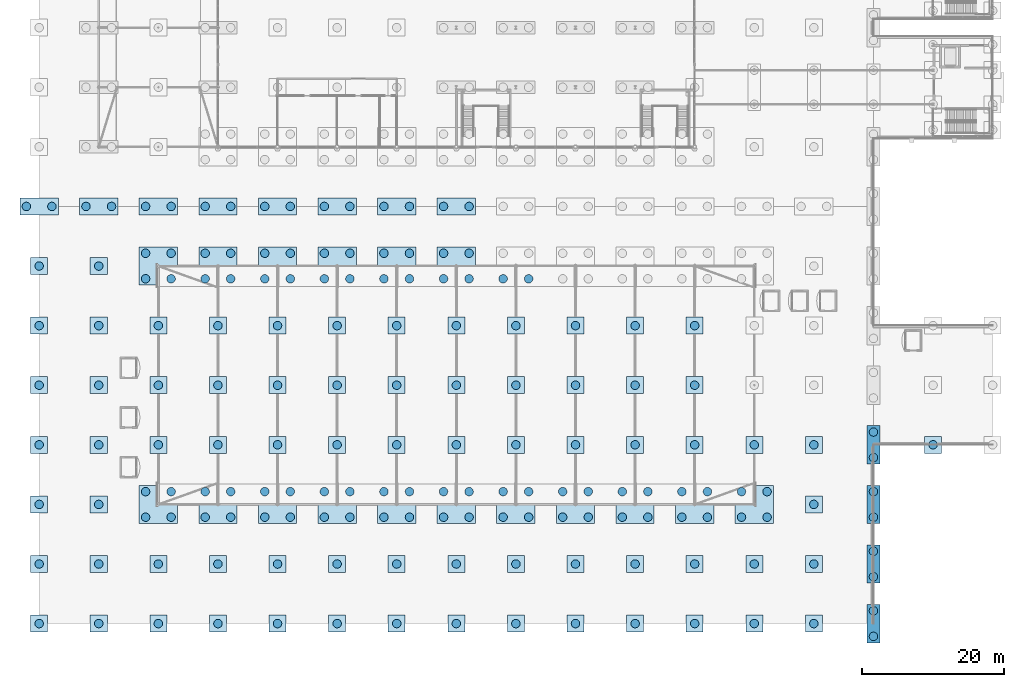
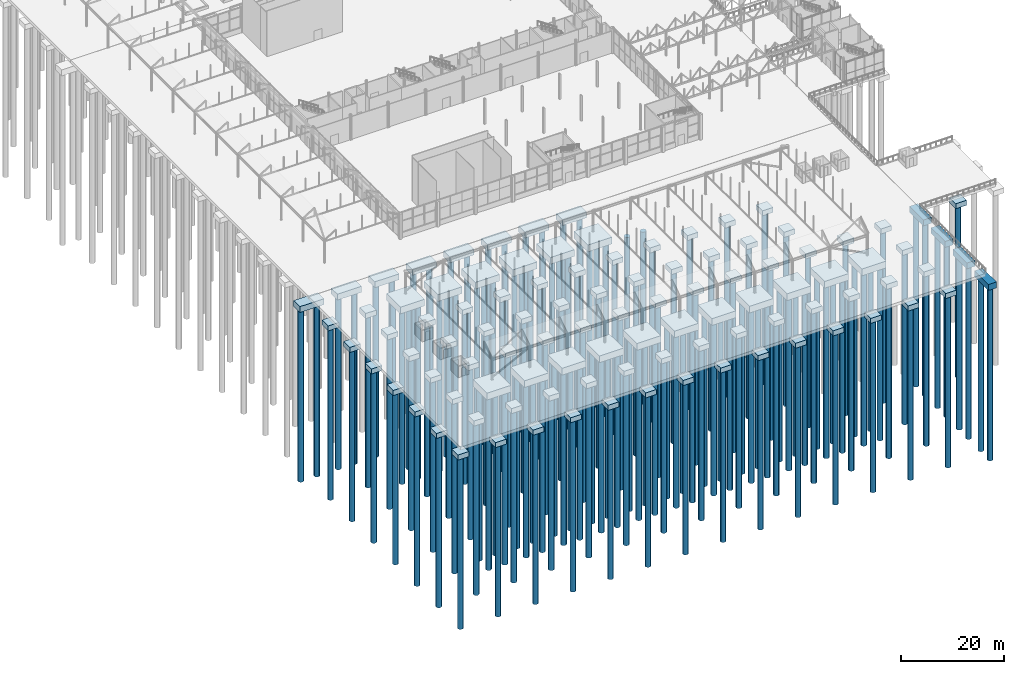
# One storey, part 1 of 212: 166 piles, 101 footings.
"""IFC4 building model written with IfcOpenShell, lengths in metres."""

from ifc_helpers import new_model, si_unit, direction, frame, origin, origin_2d, place, context, subcontext, project, spatial, rectangle, circle, extrude, material, material_profile, profile_set, type_object, element, save


model = new_model("IFC4")

# Units and contexts
model_context = context("Model", 3, precision=1e-05, world=origin(), true_north=direction((0.0, 1.0)))
body_context = subcontext(model_context, "Body", "Model", "MODEL_VIEW")
ifc_project = project(units=[si_unit("LENGTHUNIT", "METRE"), si_unit("AREAUNIT", "SQUARE_METRE"), si_unit("VOLUMEUNIT", "CUBIC_METRE"), si_unit("PLANEANGLEUNIT", "RADIAN"), si_unit("MASSUNIT", "GRAM", prefix="KILO")], contexts=[model_context])

# Site, building, storey
site_placement = place(None, origin())
site = spatial("IfcSite", under=ifc_project, at=site_placement, CompositionType="ELEMENT")
building_placement = place(site_placement, origin())
building = spatial("IfcBuilding", under=site, at=building_placement, Name="Catenary Quay Ferry Terminal", CompositionType="ELEMENT")
storey_placement = place(building_placement, origin())
storey = spatial("IfcBuildingStorey", under=building, at=storey_placement, Name="L00", CompositionType="ELEMENT", Elevation=0.0)

# Piles
ifc_material_1 = material(Name="Concrete C35/45", Category="concrete")
ifc_material_profile = material_profile(ifc_material_1, circle(Radius=0.60009765625, at=origin_2d()), Name="D1200")
ifc_profile_set = profile_set([ifc_material_profile], Name="Concrete C35/45")
pile_type = type_object("IfcPileType", Name="Bored pile D1200", PredefinedType="BORED", material=ifc_profile_set)
for number, where, z_axis, x_axis, name in (
    (1, (0.0, 0.0, -1.89990234375), (0.0, 0.0, -1.0), (1.0, 0.0, 0.0), "Pile PC1-A1/1"),
    (2, (8.39990234375, 0.0, -1.89990234375), (0.0, 0.0, -1.0), (1.0, 0.0, 0.0), "Pile PC1-B1/1"),
    (3, (16.800048828125, 0.0, -1.89990234375), (0.0, 0.0, -1.0), (1.0, 0.0, 0.0), "Pile PC1-C1/1"),
    (4, (25.199951171875, 0.0, -1.89990234375), (0.0, 0.0, -1.0), (1.0, 0.0, 0.0), "Pile PC1-D1/1"),
    (5, (33.60009765625, 0.0, -1.89990234375), (0.0, 0.0, -1.0), (1.0, 0.0, 0.0), "Pile PC1-E1/1"),
    (6, (42.0, 0.0, -1.89990234375), (0.0, 0.0, -1.0), (1.0, 0.0, 0.0), "Pile PC1-F1/1"),
    (7, (50.39990234375, 0.0, -1.89990234375), (0.0, 0.0, -1.0), (1.0, 0.0, 0.0), "Pile PC1-G1/1"),
    (8, (58.800048828125, 0.0, -1.89990234375), (0.0, 0.0, -1.0), (1.0, 0.0, 0.0), "Pile PC1-H1/1"),
    (9, (67.199951171875, 0.0, -1.89990234375), (0.0, 0.0, -1.0), (1.0, 0.0, 0.0), "Pile PC1-I1/1"),
    (10, (75.60009765625, 0.0, -1.89990234375), (0.0, 0.0, -1.0), (1.0, 0.0, 0.0), "Pile PC1-J1/1"),
    (11, (84.0, 0.0, -1.89990234375), (0.0, 0.0, -1.0), (1.0, 0.0, 0.0), "Pile PC1-K1/1"),
    (12, (92.39990234375, 0.0, -1.89990234375), (0.0, 0.0, -1.0), (1.0, 0.0, 0.0), "Pile PC1-L1/1"),
    (13, (100.800048828125, 0.0, -1.89990234375), (0.0, 0.0, -1.0), (1.0, 0.0, 0.0), "Pile PC1-M1/1"),
    (14, (109.199951171875, 0.0, -1.89990234375), (0.0, 0.0, -1.0), (1.0, 0.0, 0.0), "Pile PC1-N1/1"),
    (15, (117.60009765625, -1.800048828125, -2.10009765625), (0.0, 0.0, -1.0), (1.0, 0.0, 0.0), "Pile PC2-O1/1"),
    (16, (117.60009765625, 1.800048828125, -2.10009765625), (0.0, 0.0, -1.0), (1.0, 0.0, 0.0), "Pile PC2-O1/2"),
    (17, (0.0, 8.39990234375, -1.89990234375), (0.0, 0.0, -1.0), (1.0, 0.0, 0.0), "Pile PC1-A2/1"),
    (18, (8.39990234375, 8.39990234375, -1.89990234375), (0.0, 0.0, -1.0), (1.0, 0.0, 0.0), "Pile PC1-B2/1"),
    (19, (16.800048828125, 8.39990234375, -1.89990234375), (0.0, 0.0, -1.0), (1.0, 0.0, 0.0), "Pile PC1-C2/1"),
    (20, (25.199951171875, 8.39990234375, -1.89990234375), (0.0, 0.0, -1.0), (1.0, 0.0, 0.0), "Pile PC1-D2/1"),
    (21, (33.60009765625, 8.39990234375, -1.89990234375), (0.0, 0.0, -1.0), (1.0, 0.0, 0.0), "Pile PC1-E2/1"),
    (22, (42.0, 8.39990234375, -1.89990234375), (0.0, 0.0, -1.0), (1.0, 0.0, 0.0), "Pile PC1-F2/1"),
    (23, (50.39990234375, 8.39990234375, -1.89990234375), (0.0, 0.0, -1.0), (1.0, 0.0, 0.0), "Pile PC1-G2/1"),
    (24, (58.800048828125, 8.39990234375, -1.89990234375), (0.0, 0.0, -1.0), (1.0, 0.0, 0.0), "Pile PC1-H2/1"),
    (25, (67.199951171875, 8.39990234375, -1.89990234375), (0.0, 0.0, -1.0), (1.0, 0.0, 0.0), "Pile PC1-I2/1"),
    (26, (75.60009765625, 8.39990234375, -1.89990234375), (0.0, 0.0, -1.0), (1.0, 0.0, 0.0), "Pile PC1-J2/1"),
    (27, (84.0, 8.39990234375, -1.89990234375), (0.0, 0.0, -1.0), (1.0, 0.0, 0.0), "Pile PC1-K2/1"),
    (28, (92.39990234375, 8.39990234375, -1.89990234375), (0.0, 0.0, -1.0), (1.0, 0.0, 0.0), "Pile PC1-L2/1"),
    (29, (100.800048828125, 8.39990234375, -1.89990234375), (0.0, 0.0, -1.0), (1.0, 0.0, 0.0), "Pile PC1-M2/1"),
    (30, (109.199951171875, 8.39990234375, -1.89990234375), (0.0, 0.0, -1.0), (1.0, 0.0, 0.0), "Pile PC1-N2/1"),
    (31, (117.60009765625, 6.60009765625, -2.10009765625), (0.0, 0.0, -1.0), (1.0, 0.0, 0.0), "Pile PC2-O2/1"),
    (32, (117.60009765625, 10.199951171875, -2.10009765625), (0.0, 0.0, -1.0), (1.0, 0.0, 0.0), "Pile PC2-O2/2"),
    (33, (0.0, 16.800048828125, -1.89990234375), (0.0, 0.0, -1.0), (1.0, 0.0, 0.0), "Pile PC1-A3/1"),
    (34, (8.39990234375, 16.800048828125, -1.89990234375), (0.0, 0.0, -1.0), (1.0, 0.0, 0.0), "Pile PC1-B3/1"),
    (35, (15.0, 15.0, -2.300048828125), (0.0, 0.0, -1.0), (1.0, 0.0, 0.0), "Pile PC4-C3/1"),
    (36, (18.60009765625, 15.0, -2.300048828125), (0.0, 0.0, -1.0), (1.0, 0.0, 0.0), "Pile PC4-C3/2"),
    (37, (15.0, 18.60009765625, -2.300048828125), (0.0, 0.0, -1.0), (1.0, 0.0, 0.0), "Pile PC4-C3/3"),
    (38, (18.60009765625, 18.60009765625, -2.300048828125), (0.0, 0.0, -1.0), (1.0, 0.0, 0.0), "Pile PC4-C3/4"),
    (39, (23.39990234375, 15.0, -2.300048828125), (0.0, 0.0, -1.0), (1.0, 0.0, 0.0), "Pile PC4-D3/1"),
    (40, (27.0, 15.0, -2.300048828125), (0.0, 0.0, -1.0), (1.0, 0.0, 0.0), "Pile PC4-D3/2"),
    (41, (23.39990234375, 18.60009765625, -2.300048828125), (0.0, 0.0, -1.0), (1.0, 0.0, 0.0), "Pile PC4-D3/3"),
    (42, (27.0, 18.60009765625, -2.300048828125), (0.0, 0.0, -1.0), (1.0, 0.0, 0.0), "Pile PC4-D3/4"),
    (43, (31.800048828125, 15.0, -2.300048828125), (0.0, 0.0, -1.0), (1.0, 0.0, 0.0), "Pile PC4-E3/1"),
    (44, (35.39990234375, 15.0, -2.300048828125), (0.0, 0.0, -1.0), (1.0, 0.0, 0.0), "Pile PC4-E3/2"),
    (45, (31.800048828125, 18.60009765625, -2.300048828125), (0.0, 0.0, -1.0), (1.0, 0.0, 0.0), "Pile PC4-E3/3"),
    (46, (35.39990234375, 18.60009765625, -2.300048828125), (0.0, 0.0, -1.0), (1.0, 0.0, 0.0), "Pile PC4-E3/4"),
    (47, (40.199951171875, 15.0, -2.300048828125), (0.0, 0.0, -1.0), (1.0, 0.0, 0.0), "Pile PC4-F3/1"),
    (48, (43.800048828125, 15.0, -2.300048828125), (0.0, 0.0, -1.0), (1.0, 0.0, 0.0), "Pile PC4-F3/2"),
    (49, (40.199951171875, 18.60009765625, -2.300048828125), (0.0, 0.0, -1.0), (1.0, 0.0, 0.0), "Pile PC4-F3/3"),
    (50, (43.800048828125, 18.60009765625, -2.300048828125), (0.0, 0.0, -1.0), (1.0, 0.0, 0.0), "Pile PC4-F3/4"),
    (51, (48.60009765625, 15.0, -2.300048828125), (0.0, 0.0, -1.0), (1.0, 0.0, 0.0), "Pile PC4-G3/1"),
    (52, (52.199951171875, 15.0, -2.300048828125), (0.0, 0.0, -1.0), (1.0, 0.0, 0.0), "Pile PC4-G3/2"),
    (53, (48.60009765625, 18.60009765625, -2.300048828125), (0.0, 0.0, -1.0), (1.0, 0.0, 0.0), "Pile PC4-G3/3"),
    (54, (52.199951171875, 18.60009765625, -2.300048828125), (0.0, 0.0, -1.0), (1.0, 0.0, 0.0), "Pile PC4-G3/4"),
    (55, (57.0, 15.0, -2.300048828125), (0.0, 0.0, -1.0), (1.0, 0.0, 0.0), "Pile PC4-H3/1"),
    (56, (60.60009765625, 15.0, -2.300048828125), (0.0, 0.0, -1.0), (1.0, 0.0, 0.0), "Pile PC4-H3/2"),
    (57, (57.0, 18.60009765625, -2.300048828125), (0.0, 0.0, -1.0), (1.0, 0.0, 0.0), "Pile PC4-H3/3"),
    (58, (60.60009765625, 18.60009765625, -2.300048828125), (0.0, 0.0, -1.0), (1.0, 0.0, 0.0), "Pile PC4-H3/4"),
    (59, (65.39990234375, 15.0, -2.300048828125), (0.0, 0.0, -1.0), (1.0, 0.0, 0.0), "Pile PC4-I3/1"),
    (60, (69.0, 15.0, -2.300048828125), (0.0, 0.0, -1.0), (1.0, 0.0, 0.0), "Pile PC4-I3/2"),
    (61, (65.39990234375, 18.60009765625, -2.300048828125), (0.0, 0.0, -1.0), (1.0, 0.0, 0.0), "Pile PC4-I3/3"),
    (62, (69.0, 18.60009765625, -2.300048828125), (0.0, 0.0, -1.0), (1.0, 0.0, 0.0), "Pile PC4-I3/4"),
    (63, (73.800048828125, 15.0, -2.300048828125), (0.0, 0.0, -1.0), (1.0, 0.0, 0.0), "Pile PC4-J3/1"),
    (64, (77.39990234375, 15.0, -2.300048828125), (0.0, 0.0, -1.0), (1.0, 0.0, 0.0), "Pile PC4-J3/2"),
    (65, (73.800048828125, 18.60009765625, -2.300048828125), (0.0, 0.0, -1.0), (1.0, 0.0, 0.0), "Pile PC4-J3/3"),
    (66, (77.39990234375, 18.60009765625, -2.300048828125), (0.0, 0.0, -1.0), (1.0, 0.0, 0.0), "Pile PC4-J3/4"),
    (67, (82.199951171875, 15.0, -2.300048828125), (0.0, 0.0, -1.0), (1.0, 0.0, 0.0), "Pile PC4-K3/1"),
    (68, (85.800048828125, 15.0, -2.300048828125), (0.0, 0.0, -1.0), (1.0, 0.0, 0.0), "Pile PC4-K3/2"),
    (69, (82.199951171875, 18.60009765625, -2.300048828125), (0.0, 0.0, -1.0), (1.0, 0.0, 0.0), "Pile PC4-K3/3"),
    (70, (85.800048828125, 18.60009765625, -2.300048828125), (0.0, 0.0, -1.0), (1.0, 0.0, 0.0), "Pile PC4-K3/4"),
    (71, (90.60009765625, 15.0, -2.300048828125), (0.0, 0.0, -1.0), (1.0, 0.0, 0.0), "Pile PC4-L3/1"),
    (72, (94.199951171875, 15.0, -2.300048828125), (0.0, 0.0, -1.0), (1.0, 0.0, 0.0), "Pile PC4-L3/2"),
    (73, (90.60009765625, 18.60009765625, -2.300048828125), (0.0, 0.0, -1.0), (1.0, 0.0, 0.0), "Pile PC4-L3/3"),
    (74, (94.199951171875, 18.60009765625, -2.300048828125), (0.0, 0.0, -1.0), (1.0, 0.0, 0.0), "Pile PC4-L3/4"),
    (75, (99.0, 15.0, -2.300048828125), (0.0, 0.0, -1.0), (1.0, 0.0, 0.0), "Pile PC4-M3/1"),
    (76, (102.60009765625, 15.0, -2.300048828125), (0.0, 0.0, -1.0), (1.0, 0.0, 0.0), "Pile PC4-M3/2"),
    (77, (99.0, 18.60009765625, -2.300048828125), (0.0, 0.0, -1.0), (1.0, 0.0, 0.0), "Pile PC4-M3/3"),
    (78, (102.60009765625, 18.60009765625, -2.300048828125), (0.0, 0.0, -1.0), (1.0, 0.0, 0.0), "Pile PC4-M3/4"),
    (79, (109.199951171875, 16.800048828125, -1.89990234375), (0.0, 0.0, -1.0), (1.0, 0.0, 0.0), "Pile PC1-N3/1"),
    (80, (117.60009765625, 15.0, -2.10009765625), (0.0, 0.0, -1.0), (1.0, 0.0, 0.0), "Pile PC2-O3/1"),
    (81, (117.60009765625, 18.60009765625, -2.10009765625), (0.0, 0.0, -1.0), (1.0, 0.0, 0.0), "Pile PC2-O3/2"),
    (82, (0.0, 25.199951171875, -1.89990234375), (0.0, 0.0, -1.0), (1.0, 0.0, 0.0), "Pile PC1-A4/1"),
    (83, (8.39990234375, 25.199951171875, -1.89990234375), (0.0, 0.0, -1.0), (1.0, 0.0, 0.0), "Pile PC1-B4/1"),
    (84, (16.800048828125, 25.199951171875, -1.89990234375), (0.0, 0.0, -1.0), (1.0, 0.0, 0.0), "Pile PC1-C4/1"),
    (85, (25.199951171875, 25.199951171875, -1.89990234375), (0.0, 0.0, -1.0), (1.0, 0.0, 0.0), "Pile PC1-D4/1"),
    (86, (33.60009765625, 25.199951171875, -1.89990234375), (0.0, 0.0, -1.0), (1.0, 0.0, 0.0), "Pile PC1-E4/1"),
    (87, (42.0, 25.199951171875, -1.89990234375), (0.0, 0.0, -1.0), (1.0, 0.0, 0.0), "Pile PC1-F4/1"),
    (88, (50.39990234375, 25.199951171875, -1.89990234375), (0.0, 0.0, -1.0), (1.0, 0.0, 0.0), "Pile PC1-G4/1"),
    (89, (58.800048828125, 25.199951171875, -1.89990234375), (0.0, 0.0, -1.0), (1.0, 0.0, 0.0), "Pile PC1-H4/1"),
    (90, (67.199951171875, 25.199951171875, -1.89990234375), (0.0, 0.0, -1.0), (1.0, 0.0, 0.0), "Pile PC1-I4/1"),
    (91, (75.60009765625, 25.199951171875, -1.89990234375), (0.0, 0.0, -1.0), (1.0, 0.0, 0.0), "Pile PC1-J4/1"),
    (92, (84.0, 25.199951171875, -1.89990234375), (0.0, 0.0, -1.0), (1.0, 0.0, 0.0), "Pile PC1-K4/1"),
    (93, (92.39990234375, 25.199951171875, -1.89990234375), (0.0, 0.0, -1.0), (1.0, 0.0, 0.0), "Pile PC1-L4/1"),
    (94, (100.800048828125, 25.199951171875, -1.89990234375), (0.0, 0.0, -1.0), (1.0, 0.0, 0.0), "Pile PC1-M4/1"),
    (95, (109.199951171875, 25.199951171875, -1.89990234375), (0.0, 0.0, -1.0), (1.0, 0.0, 0.0), "Pile PC1-N4/1"),
    (96, (117.60009765625, 23.39990234375, -2.10009765625), (0.0, 0.0, -1.0), (1.0, 0.0, 0.0), "Pile PC2-O4/1"),
    (97, (117.60009765625, 27.0, -2.10009765625), (0.0, 0.0, -1.0), (1.0, 0.0, 0.0), "Pile PC2-O4/2"),
    (98, (0.0, 33.60009765625, -1.89990234375), (0.0, 0.0, -1.0), (1.0, 0.0, 0.0), "Pile PC1-A5/1"),
    (99, (8.39990234375, 33.60009765625, -1.89990234375), (0.0, 0.0, -1.0), (1.0, 0.0, 0.0), "Pile PC1-B5/1"),
    (100, (16.800048828125, 33.60009765625, -1.89990234375), (0.0, 0.0, -1.0), (1.0, 0.0, 0.0), "Pile PC1-C5/1"),
    (101, (25.199951171875, 33.60009765625, -1.89990234375), (0.0, 0.0, -1.0), (1.0, 0.0, 0.0), "Pile PC1-D5/1"),
    (102, (33.60009765625, 33.60009765625, -1.89990234375), (0.0, 0.0, -1.0), (1.0, 0.0, 0.0), "Pile PC1-E5/1"),
    (103, (42.0, 33.60009765625, -1.89990234375), (0.0, 0.0, -1.0), (1.0, 0.0, 0.0), "Pile PC1-F5/1"),
    (104, (50.39990234375, 33.60009765625, -1.89990234375), (0.0, 0.0, -1.0), (1.0, 0.0, 0.0), "Pile PC1-G5/1"),
    (105, (58.800048828125, 33.60009765625, -1.89990234375), (0.0, 0.0, -1.0), (1.0, 0.0, 0.0), "Pile PC1-H5/1"),
    (106, (67.199951171875, 33.60009765625, -1.89990234375), (0.0, 0.0, -1.0), (1.0, 0.0, 0.0), "Pile PC1-I5/1"),
    (107, (75.60009765625, 33.60009765625, -1.89990234375), (0.0, 0.0, -1.0), (1.0, 0.0, 0.0), "Pile PC1-J5/1"),
    (108, (84.0, 33.60009765625, -1.89990234375), (0.0, 0.0, -1.0), (1.0, 0.0, 0.0), "Pile PC1-K5/1"),
    (109, (92.39990234375, 33.60009765625, -1.89990234375), (0.0, 0.0, -1.0), (1.0, 0.0, 0.0), "Pile PC1-L5/1"),
    (110, (0.0, 42.0, -1.89990234375), (0.0, 0.0, -1.0), (1.0, 0.0, 0.0), "Pile PC1-A6/1"),
    (111, (8.39990234375, 42.0, -1.89990234375), (0.0, 0.0, -1.0), (1.0, 0.0, 0.0), "Pile PC1-B6/1"),
    (112, (16.800048828125, 42.0, -1.89990234375), (0.0, 0.0, -1.0), (1.0, 0.0, 0.0), "Pile PC1-C6/1"),
    (113, (25.199951171875, 42.0, -1.89990234375), (0.0, 0.0, -1.0), (1.0, 0.0, 0.0), "Pile PC1-D6/1"),
    (114, (33.60009765625, 42.0, -1.89990234375), (0.0, 0.0, -1.0), (1.0, 0.0, 0.0), "Pile PC1-E6/1"),
    (115, (42.0, 42.0, -1.89990234375), (0.0, 0.0, -1.0), (1.0, 0.0, 0.0), "Pile PC1-F6/1"),
    (116, (50.39990234375, 42.0, -1.89990234375), (0.0, 0.0, -1.0), (1.0, 0.0, 0.0), "Pile PC1-G6/1"),
    (117, (58.800048828125, 42.0, -1.89990234375), (0.0, 0.0, -1.0), (1.0, 0.0, 0.0), "Pile PC1-H6/1"),
    (118, (67.199951171875, 42.0, -1.89990234375), (0.0, 0.0, -1.0), (1.0, 0.0, 0.0), "Pile PC1-I6/1"),
    (119, (75.60009765625, 42.0, -1.89990234375), (0.0, 0.0, -1.0), (1.0, 0.0, 0.0), "Pile PC1-J6/1"),
    (120, (84.0, 42.0, -1.89990234375), (0.0, 0.0, -1.0), (1.0, 0.0, 0.0), "Pile PC1-K6/1"),
    (121, (92.39990234375, 42.0, -1.89990234375), (0.0, 0.0, -1.0), (1.0, 0.0, 0.0), "Pile PC1-L6/1"),
    (122, (0.0, 50.39990234375, -1.89990234375), (0.0, 0.0, -1.0), (1.0, 0.0, 0.0), "Pile PC1-A7/1"),
    (123, (8.39990234375, 50.39990234375, -1.89990234375), (0.0, 0.0, -1.0), (1.0, 0.0, 0.0), "Pile PC1-B7/1"),
    (124, (15.0, 48.60009765625, -2.300048828125), (0.0, 0.0, -1.0), (1.0, 0.0, 0.0), "Pile PC4-C7/1"),
    (125, (18.60009765625, 48.60009765625, -2.300048828125), (0.0, 0.0, -1.0), (1.0, 0.0, 0.0), "Pile PC4-C7/2"),
    (126, (15.0, 52.199951171875, -2.300048828125), (0.0, 0.0, -1.0), (1.0, 0.0, 0.0), "Pile PC4-C7/3"),
    (127, (18.60009765625, 52.199951171875, -2.300048828125), (0.0, 0.0, -1.0), (1.0, 0.0, 0.0), "Pile PC4-C7/4"),
    (128, (23.39990234375, 48.60009765625, -2.300048828125), (0.0, 0.0, -1.0), (1.0, 0.0, 0.0), "Pile PC4-D7/1"),
    (129, (27.0, 48.60009765625, -2.300048828125), (0.0, 0.0, -1.0), (1.0, 0.0, 0.0), "Pile PC4-D7/2"),
    (130, (23.39990234375, 52.199951171875, -2.300048828125), (0.0, 0.0, -1.0), (1.0, 0.0, 0.0), "Pile PC4-D7/3"),
    (131, (27.0, 52.199951171875, -2.300048828125), (0.0, 0.0, -1.0), (1.0, 0.0, 0.0), "Pile PC4-D7/4"),
    (132, (31.800048828125, 48.60009765625, -2.300048828125), (0.0, 0.0, -1.0), (1.0, 0.0, 0.0), "Pile PC4-E7/1"),
    (133, (35.39990234375, 48.60009765625, -2.300048828125), (0.0, 0.0, -1.0), (1.0, 0.0, 0.0), "Pile PC4-E7/2"),
    (134, (31.800048828125, 52.199951171875, -2.300048828125), (0.0, 0.0, -1.0), (1.0, 0.0, 0.0), "Pile PC4-E7/3"),
    (135, (35.39990234375, 52.199951171875, -2.300048828125), (0.0, 0.0, -1.0), (1.0, 0.0, 0.0), "Pile PC4-E7/4"),
    (136, (40.199951171875, 48.60009765625, -2.300048828125), (0.0, 0.0, -1.0), (1.0, 0.0, 0.0), "Pile PC4-F7/1"),
    (137, (43.800048828125, 48.60009765625, -2.300048828125), (0.0, 0.0, -1.0), (1.0, 0.0, 0.0), "Pile PC4-F7/2"),
    (138, (40.199951171875, 52.199951171875, -2.300048828125), (0.0, 0.0, -1.0), (1.0, 0.0, 0.0), "Pile PC4-F7/3"),
    (139, (43.800048828125, 52.199951171875, -2.300048828125), (0.0, 0.0, -1.0), (1.0, 0.0, 0.0), "Pile PC4-F7/4"),
    (140, (48.60009765625, 48.60009765625, -2.300048828125), (0.0, 0.0, -1.0), (1.0, 0.0, 0.0), "Pile PC4-G7/1"),
    (141, (52.199951171875, 48.60009765625, -2.300048828125), (0.0, 0.0, -1.0), (1.0, 0.0, 0.0), "Pile PC4-G7/2"),
    (142, (48.60009765625, 52.199951171875, -2.300048828125), (0.0, 0.0, -1.0), (1.0, 0.0, 0.0), "Pile PC4-G7/3"),
    (143, (52.199951171875, 52.199951171875, -2.300048828125), (0.0, 0.0, -1.0), (1.0, 0.0, 0.0), "Pile PC4-G7/4"),
    (144, (57.0, 48.60009765625, -2.300048828125), (0.0, 0.0, -1.0), (1.0, 0.0, 0.0), "Pile PC4-H7/1"),
    (145, (60.60009765625, 48.60009765625, -2.300048828125), (0.0, 0.0, -1.0), (1.0, 0.0, 0.0), "Pile PC4-H7/2"),
    (146, (57.0, 52.199951171875, -2.300048828125), (0.0, 0.0, -1.0), (1.0, 0.0, 0.0), "Pile PC4-H7/3"),
    (147, (60.60009765625, 52.199951171875, -2.300048828125), (0.0, 0.0, -1.0), (1.0, 0.0, 0.0), "Pile PC4-H7/4"),
    (148, (65.39990234375, 48.60009765625, -2.300048828125), (0.0, 0.0, -1.0), (1.0, 0.0, 0.0), "Pile PC4-I7/1"),
    (149, (69.0, 48.60009765625, -2.300048828125), (0.0, 0.0, -1.0), (1.0, 0.0, 0.0), "Pile PC4-I7/2"),
    (150, (-1.800048828125, 58.800048828125, -2.10009765625), (0.0, 0.0, -1.0), (1.0, 0.0, 0.0), "Pile PC2J-A8/1"),
    (151, (1.800048828125, 58.800048828125, -2.10009765625), (0.0, 0.0, -1.0), (1.0, 0.0, 0.0), "Pile PC2J-A8/2"),
    (152, (6.60009765625, 58.800048828125, -2.10009765625), (0.0, 0.0, -1.0), (1.0, 0.0, 0.0), "Pile PC2J-B8/1"),
    (153, (10.199951171875, 58.800048828125, -2.10009765625), (0.0, 0.0, -1.0), (1.0, 0.0, 0.0), "Pile PC2J-B8/2"),
    (154, (15.0, 58.800048828125, -2.10009765625), (0.0, 0.0, -1.0), (1.0, 0.0, 0.0), "Pile PC2J-C8/1"),
    (155, (18.60009765625, 58.800048828125, -2.10009765625), (0.0, 0.0, -1.0), (1.0, 0.0, 0.0), "Pile PC2J-C8/2"),
    (156, (23.39990234375, 58.800048828125, -2.10009765625), (0.0, 0.0, -1.0), (1.0, 0.0, 0.0), "Pile PC2J-D8/1"),
    (157, (27.0, 58.800048828125, -2.10009765625), (0.0, 0.0, -1.0), (1.0, 0.0, 0.0), "Pile PC2J-D8/2"),
    (158, (31.800048828125, 58.800048828125, -2.10009765625), (0.0, 0.0, -1.0), (1.0, 0.0, 0.0), "Pile PC2J-E8/1"),
    (159, (35.39990234375, 58.800048828125, -2.10009765625), (0.0, 0.0, -1.0), (1.0, 0.0, 0.0), "Pile PC2J-E8/2"),
    (160, (40.199951171875, 58.800048828125, -2.10009765625), (0.0, 0.0, -1.0), (1.0, 0.0, 0.0), "Pile PC2J-F8/1"),
    (161, (43.800048828125, 58.800048828125, -2.10009765625), (0.0, 0.0, -1.0), (1.0, 0.0, 0.0), "Pile PC2J-F8/2"),
    (162, (48.60009765625, 58.800048828125, -2.10009765625), (0.0, 0.0, -1.0), (1.0, 0.0, 0.0), "Pile PC2J-G8/1"),
    (163, (52.199951171875, 58.800048828125, -2.10009765625), (0.0, 0.0, -1.0), (1.0, 0.0, 0.0), "Pile PC2J-G8/2"),
    (164, (57.0, 58.800048828125, -2.10009765625), (0.0, 0.0, -1.0), (1.0, 0.0, 0.0), "Pile PC2J-H8/1"),
    (165, (60.60009765625, 58.800048828125, -2.10009765625), (0.0, 0.0, -1.0), (1.0, 0.0, 0.0), "Pile PC2J-H8/2"),
    (166, (126.0, 25.199951171875, -1.800048828125), (0.0, 0.0, -1.0), (1.0, 0.0, 0.0), "Pile PC1-BVP4/1"),
):
    element("IfcPile", number, at=place(storey_placement, frame(where, z_axis=z_axis, x_axis=x_axis)), inside=storey, type_object=pile_type, Name=name, PredefinedType="BORED", context=body_context, shape_type="SweptSolid", body=[
        extrude(circle(Radius=0.60009765625, at=origin_2d()), origin(), (0.0, 0.0, 1.0), 40.800048828125),
    ])

# Footings
ifc_material_2 = material(Name="Concrete C35/45", Category="concrete")
footing_type_1 = type_object("IfcFootingType", Name="Pile cap PC1", PredefinedType="PILE_CAP", material=ifc_material_2)
for number, where, z_axis, x_axis, name in (
    (167, (0.0, 0.0, -1.89990234375), (0.0, 0.0, 1.0), (1.0, 0.0, 0.0), "Pile cap PC1-A1"),
    (168, (8.39990234375, 0.0, -1.89990234375), (0.0, 0.0, 1.0), (1.0, 0.0, 0.0), "Pile cap PC1-B1"),
    (169, (16.800048828125, 0.0, -1.89990234375), (0.0, 0.0, 1.0), (1.0, 0.0, 0.0), "Pile cap PC1-C1"),
    (170, (25.199951171875, 0.0, -1.89990234375), (0.0, 0.0, 1.0), (1.0, 0.0, 0.0), "Pile cap PC1-D1"),
    (171, (33.60009765625, 0.0, -1.89990234375), (0.0, 0.0, 1.0), (1.0, 0.0, 0.0), "Pile cap PC1-E1"),
    (172, (42.0, 0.0, -1.89990234375), (0.0, 0.0, 1.0), (1.0, 0.0, 0.0), "Pile cap PC1-F1"),
    (173, (50.39990234375, 0.0, -1.89990234375), (0.0, 0.0, 1.0), (1.0, 0.0, 0.0), "Pile cap PC1-G1"),
    (174, (58.800048828125, 0.0, -1.89990234375), (0.0, 0.0, 1.0), (1.0, 0.0, 0.0), "Pile cap PC1-H1"),
    (175, (67.199951171875, 0.0, -1.89990234375), (0.0, 0.0, 1.0), (1.0, 0.0, 0.0), "Pile cap PC1-I1"),
    (176, (75.60009765625, 0.0, -1.89990234375), (0.0, 0.0, 1.0), (1.0, 0.0, 0.0), "Pile cap PC1-J1"),
    (177, (84.0, 0.0, -1.89990234375), (0.0, 0.0, 1.0), (1.0, 0.0, 0.0), "Pile cap PC1-K1"),
    (178, (92.39990234375, 0.0, -1.89990234375), (0.0, 0.0, 1.0), (1.0, 0.0, 0.0), "Pile cap PC1-L1"),
    (179, (100.800048828125, 0.0, -1.89990234375), (0.0, 0.0, 1.0), (1.0, 0.0, 0.0), "Pile cap PC1-M1"),
    (180, (109.199951171875, 0.0, -1.89990234375), (0.0, 0.0, 1.0), (1.0, 0.0, 0.0), "Pile cap PC1-N1"),
    (181, (0.0, 8.39990234375, -1.89990234375), (0.0, 0.0, 1.0), (1.0, 0.0, 0.0), "Pile cap PC1-A2"),
    (182, (8.39990234375, 8.39990234375, -1.89990234375), (0.0, 0.0, 1.0), (1.0, 0.0, 0.0), "Pile cap PC1-B2"),
    (183, (16.800048828125, 8.39990234375, -1.89990234375), (0.0, 0.0, 1.0), (1.0, 0.0, 0.0), "Pile cap PC1-C2"),
    (184, (25.199951171875, 8.39990234375, -1.89990234375), (0.0, 0.0, 1.0), (1.0, 0.0, 0.0), "Pile cap PC1-D2"),
    (185, (33.60009765625, 8.39990234375, -1.89990234375), (0.0, 0.0, 1.0), (1.0, 0.0, 0.0), "Pile cap PC1-E2"),
    (186, (42.0, 8.39990234375, -1.89990234375), (0.0, 0.0, 1.0), (1.0, 0.0, 0.0), "Pile cap PC1-F2"),
    (187, (50.39990234375, 8.39990234375, -1.89990234375), (0.0, 0.0, 1.0), (1.0, 0.0, 0.0), "Pile cap PC1-G2"),
    (188, (58.800048828125, 8.39990234375, -1.89990234375), (0.0, 0.0, 1.0), (1.0, 0.0, 0.0), "Pile cap PC1-H2"),
    (189, (67.199951171875, 8.39990234375, -1.89990234375), (0.0, 0.0, 1.0), (1.0, 0.0, 0.0), "Pile cap PC1-I2"),
    (190, (75.60009765625, 8.39990234375, -1.89990234375), (0.0, 0.0, 1.0), (1.0, 0.0, 0.0), "Pile cap PC1-J2"),
    (191, (84.0, 8.39990234375, -1.89990234375), (0.0, 0.0, 1.0), (1.0, 0.0, 0.0), "Pile cap PC1-K2"),
    (192, (92.39990234375, 8.39990234375, -1.89990234375), (0.0, 0.0, 1.0), (1.0, 0.0, 0.0), "Pile cap PC1-L2"),
    (193, (100.800048828125, 8.39990234375, -1.89990234375), (0.0, 0.0, 1.0), (1.0, 0.0, 0.0), "Pile cap PC1-M2"),
    (194, (109.199951171875, 8.39990234375, -1.89990234375), (0.0, 0.0, 1.0), (1.0, 0.0, 0.0), "Pile cap PC1-N2"),
    (195, (0.0, 16.800048828125, -1.89990234375), (0.0, 0.0, 1.0), (1.0, 0.0, 0.0), "Pile cap PC1-A3"),
    (196, (8.39990234375, 16.800048828125, -1.89990234375), (0.0, 0.0, 1.0), (1.0, 0.0, 0.0), "Pile cap PC1-B3"),
    (197, (109.199951171875, 16.800048828125, -1.89990234375), (0.0, 0.0, 1.0), (1.0, 0.0, 0.0), "Pile cap PC1-N3"),
    (198, (0.0, 25.199951171875, -1.89990234375), (0.0, 0.0, 1.0), (1.0, 0.0, 0.0), "Pile cap PC1-A4"),
    (199, (8.39990234375, 25.199951171875, -1.89990234375), (0.0, 0.0, 1.0), (1.0, 0.0, 0.0), "Pile cap PC1-B4"),
    (200, (16.800048828125, 25.199951171875, -1.89990234375), (0.0, 0.0, 1.0), (1.0, 0.0, 0.0), "Pile cap PC1-C4"),
    (201, (25.199951171875, 25.199951171875, -1.89990234375), (0.0, 0.0, 1.0), (1.0, 0.0, 0.0), "Pile cap PC1-D4"),
    (202, (33.60009765625, 25.199951171875, -1.89990234375), (0.0, 0.0, 1.0), (1.0, 0.0, 0.0), "Pile cap PC1-E4"),
    (203, (42.0, 25.199951171875, -1.89990234375), (0.0, 0.0, 1.0), (1.0, 0.0, 0.0), "Pile cap PC1-F4"),
    (204, (50.39990234375, 25.199951171875, -1.89990234375), (0.0, 0.0, 1.0), (1.0, 0.0, 0.0), "Pile cap PC1-G4"),
    (205, (58.800048828125, 25.199951171875, -1.89990234375), (0.0, 0.0, 1.0), (1.0, 0.0, 0.0), "Pile cap PC1-H4"),
    (206, (67.199951171875, 25.199951171875, -1.89990234375), (0.0, 0.0, 1.0), (1.0, 0.0, 0.0), "Pile cap PC1-I4"),
    (207, (75.60009765625, 25.199951171875, -1.89990234375), (0.0, 0.0, 1.0), (1.0, 0.0, 0.0), "Pile cap PC1-J4"),
    (208, (84.0, 25.199951171875, -1.89990234375), (0.0, 0.0, 1.0), (1.0, 0.0, 0.0), "Pile cap PC1-K4"),
    (209, (92.39990234375, 25.199951171875, -1.89990234375), (0.0, 0.0, 1.0), (1.0, 0.0, 0.0), "Pile cap PC1-L4"),
    (210, (100.800048828125, 25.199951171875, -1.89990234375), (0.0, 0.0, 1.0), (1.0, 0.0, 0.0), "Pile cap PC1-M4"),
    (211, (109.199951171875, 25.199951171875, -1.89990234375), (0.0, 0.0, 1.0), (1.0, 0.0, 0.0), "Pile cap PC1-N4"),
    (212, (0.0, 33.60009765625, -1.89990234375), (0.0, 0.0, 1.0), (1.0, 0.0, 0.0), "Pile cap PC1-A5"),
    (213, (8.39990234375, 33.60009765625, -1.89990234375), (0.0, 0.0, 1.0), (1.0, 0.0, 0.0), "Pile cap PC1-B5"),
    (214, (16.800048828125, 33.60009765625, -1.89990234375), (0.0, 0.0, 1.0), (1.0, 0.0, 0.0), "Pile cap PC1-C5"),
    (215, (25.199951171875, 33.60009765625, -1.89990234375), (0.0, 0.0, 1.0), (1.0, 0.0, 0.0), "Pile cap PC1-D5"),
    (216, (33.60009765625, 33.60009765625, -1.89990234375), (0.0, 0.0, 1.0), (1.0, 0.0, 0.0), "Pile cap PC1-E5"),
    (217, (42.0, 33.60009765625, -1.89990234375), (0.0, 0.0, 1.0), (1.0, 0.0, 0.0), "Pile cap PC1-F5"),
    (218, (50.39990234375, 33.60009765625, -1.89990234375), (0.0, 0.0, 1.0), (1.0, 0.0, 0.0), "Pile cap PC1-G5"),
    (219, (58.800048828125, 33.60009765625, -1.89990234375), (0.0, 0.0, 1.0), (1.0, 0.0, 0.0), "Pile cap PC1-H5"),
    (220, (67.199951171875, 33.60009765625, -1.89990234375), (0.0, 0.0, 1.0), (1.0, 0.0, 0.0), "Pile cap PC1-I5"),
    (221, (75.60009765625, 33.60009765625, -1.89990234375), (0.0, 0.0, 1.0), (1.0, 0.0, 0.0), "Pile cap PC1-J5"),
    (222, (84.0, 33.60009765625, -1.89990234375), (0.0, 0.0, 1.0), (1.0, 0.0, 0.0), "Pile cap PC1-K5"),
    (223, (92.39990234375, 33.60009765625, -1.89990234375), (0.0, 0.0, 1.0), (1.0, 0.0, 0.0), "Pile cap PC1-L5"),
    (224, (0.0, 42.0, -1.89990234375), (0.0, 0.0, 1.0), (1.0, 0.0, 0.0), "Pile cap PC1-A6"),
    (225, (8.39990234375, 42.0, -1.89990234375), (0.0, 0.0, 1.0), (1.0, 0.0, 0.0), "Pile cap PC1-B6"),
    (226, (16.800048828125, 42.0, -1.89990234375), (0.0, 0.0, 1.0), (1.0, 0.0, 0.0), "Pile cap PC1-C6"),
    (227, (25.199951171875, 42.0, -1.89990234375), (0.0, 0.0, 1.0), (1.0, 0.0, 0.0), "Pile cap PC1-D6"),
    (228, (33.60009765625, 42.0, -1.89990234375), (0.0, 0.0, 1.0), (1.0, 0.0, 0.0), "Pile cap PC1-E6"),
    (229, (42.0, 42.0, -1.89990234375), (0.0, 0.0, 1.0), (1.0, 0.0, 0.0), "Pile cap PC1-F6"),
    (230, (50.39990234375, 42.0, -1.89990234375), (0.0, 0.0, 1.0), (1.0, 0.0, 0.0), "Pile cap PC1-G6"),
    (231, (58.800048828125, 42.0, -1.89990234375), (0.0, 0.0, 1.0), (1.0, 0.0, 0.0), "Pile cap PC1-H6"),
    (232, (67.199951171875, 42.0, -1.89990234375), (0.0, 0.0, 1.0), (1.0, 0.0, 0.0), "Pile cap PC1-I6"),
    (233, (75.60009765625, 42.0, -1.89990234375), (0.0, 0.0, 1.0), (1.0, 0.0, 0.0), "Pile cap PC1-J6"),
    (234, (84.0, 42.0, -1.89990234375), (0.0, 0.0, 1.0), (1.0, 0.0, 0.0), "Pile cap PC1-K6"),
    (235, (92.39990234375, 42.0, -1.89990234375), (0.0, 0.0, 1.0), (1.0, 0.0, 0.0), "Pile cap PC1-L6"),
    (236, (0.0, 50.39990234375, -1.89990234375), (0.0, 0.0, 1.0), (1.0, 0.0, 0.0), "Pile cap PC1-A7"),
    (237, (8.39990234375, 50.39990234375, -1.89990234375), (0.0, 0.0, 1.0), (1.0, 0.0, 0.0), "Pile cap PC1-B7"),
    (238, (126.0, 25.199951171875, -1.7998046875), (0.0, 0.0, 1.0), (1.0, 0.0, 0.0), "Pile cap PC1-BVP4"),
):
    element("IfcFooting", number, at=place(storey_placement, frame(where, z_axis=z_axis, x_axis=x_axis)), inside=storey, type_object=footing_type_1, Name=name, PredefinedType="PILE_CAP", context=body_context, shape_type="SweptSolid", body=[
        extrude(rectangle(XDim=2.39990234375, YDim=2.39990234375, at=origin_2d()), origin(), (0.0, 0.0, 1.0), 1.199951171875),
    ])
ifc_material_3 = material(Name="Concrete C35/45", Category="concrete")
footing_type_2 = type_object("IfcFootingType", Name="Pile cap PC2", PredefinedType="PILE_CAP", material=ifc_material_3)
for number, where, z_axis, x_axis, name in (
    (239, (117.60009765625, 0.0, -2.099853515625), (0.0, 0.0, 1.0), (1.0, 0.0, 0.0), "Pile cap PC2-O1"),
    (240, (117.60009765625, 8.39990234375, -2.099853515625), (0.0, 0.0, 1.0), (1.0, 0.0, 0.0), "Pile cap PC2-O2"),
    (241, (117.60009765625, 16.800048828125, -2.099853515625), (0.0, 0.0, 1.0), (1.0, 0.0, 0.0), "Pile cap PC2-O3"),
    (242, (117.60009765625, 25.199951171875, -2.099853515625), (0.0, 0.0, 1.0), (1.0, 0.0, 0.0), "Pile cap PC2-O4"),
):
    element("IfcFooting", number, at=place(storey_placement, frame(where, z_axis=z_axis, x_axis=x_axis)), inside=storey, type_object=footing_type_2, Name=name, PredefinedType="PILE_CAP", context=body_context, shape_type="SweptSolid", body=[
        extrude(rectangle(XDim=1.800048828125, YDim=5.39990234375, at=origin_2d()), origin(), (0.0, 0.0, 1.0), 1.39990234375),
    ])
ifc_material_4 = material(Name="Concrete C35/45", Category="concrete")
footing_type_3 = type_object("IfcFootingType", Name="Pile cap PC2J", PredefinedType="PILE_CAP", material=ifc_material_4)
for number, where, z_axis, x_axis, name in (
    (243, (0.0, 58.800048828125, -2.099853515625), (0.0, 0.0, 1.0), (1.0, 0.0, 0.0), "Pile cap PC2J-A8"),
    (244, (8.39990234375, 58.800048828125, -2.099853515625), (0.0, 0.0, 1.0), (1.0, 0.0, 0.0), "Pile cap PC2J-B8"),
    (245, (16.800048828125, 58.800048828125, -2.099853515625), (0.0, 0.0, 1.0), (1.0, 0.0, 0.0), "Pile cap PC2J-C8"),
    (246, (25.199951171875, 58.800048828125, -2.099853515625), (0.0, 0.0, 1.0), (1.0, 0.0, 0.0), "Pile cap PC2J-D8"),
    (247, (33.60009765625, 58.800048828125, -2.099853515625), (0.0, 0.0, 1.0), (1.0, 0.0, 0.0), "Pile cap PC2J-E8"),
    (248, (42.0, 58.800048828125, -2.099853515625), (0.0, 0.0, 1.0), (1.0, 0.0, 0.0), "Pile cap PC2J-F8"),
    (249, (50.39990234375, 58.800048828125, -2.099853515625), (0.0, 0.0, 1.0), (1.0, 0.0, 0.0), "Pile cap PC2J-G8"),
    (250, (58.800048828125, 58.800048828125, -2.099853515625), (0.0, 0.0, 1.0), (1.0, 0.0, 0.0), "Pile cap PC2J-H8"),
):
    element("IfcFooting", number, at=place(storey_placement, frame(where, z_axis=z_axis, x_axis=x_axis)), inside=storey, type_object=footing_type_3, Name=name, PredefinedType="PILE_CAP", context=body_context, shape_type="SweptSolid", body=[
        extrude(rectangle(XDim=5.39990234375, YDim=2.39990234375, at=origin_2d()), origin(), (0.0, 0.0, 1.0), 1.39990234375),
    ])
ifc_material_5 = material(Name="Concrete C35/45", Category="concrete")
footing_type_4 = type_object("IfcFootingType", Name="Pile cap PC4", PredefinedType="PILE_CAP", material=ifc_material_5)
for number, where, z_axis, x_axis, name in (
    (251, (16.800048828125, 16.800048828125, -2.300048828125), (0.0, 0.0, 1.0), (1.0, 0.0, 0.0), "Pile cap PC4-C3"),
    (252, (25.199951171875, 16.800048828125, -2.300048828125), (0.0, 0.0, 1.0), (1.0, 0.0, 0.0), "Pile cap PC4-D3"),
    (253, (33.60009765625, 16.800048828125, -2.300048828125), (0.0, 0.0, 1.0), (1.0, 0.0, 0.0), "Pile cap PC4-E3"),
    (254, (42.0, 16.800048828125, -2.300048828125), (0.0, 0.0, 1.0), (1.0, 0.0, 0.0), "Pile cap PC4-F3"),
    (255, (50.39990234375, 16.800048828125, -2.300048828125), (0.0, 0.0, 1.0), (1.0, 0.0, 0.0), "Pile cap PC4-G3"),
    (256, (58.800048828125, 16.800048828125, -2.300048828125), (0.0, 0.0, 1.0), (1.0, 0.0, 0.0), "Pile cap PC4-H3"),
    (257, (67.199951171875, 16.800048828125, -2.300048828125), (0.0, 0.0, 1.0), (1.0, 0.0, 0.0), "Pile cap PC4-I3"),
    (258, (75.60009765625, 16.800048828125, -2.300048828125), (0.0, 0.0, 1.0), (1.0, 0.0, 0.0), "Pile cap PC4-J3"),
    (259, (84.0, 16.800048828125, -2.300048828125), (0.0, 0.0, 1.0), (1.0, 0.0, 0.0), "Pile cap PC4-K3"),
    (260, (92.39990234375, 16.800048828125, -2.300048828125), (0.0, 0.0, 1.0), (1.0, 0.0, 0.0), "Pile cap PC4-L3"),
    (261, (100.800048828125, 16.800048828125, -2.300048828125), (0.0, 0.0, 1.0), (1.0, 0.0, 0.0), "Pile cap PC4-M3"),
    (262, (16.800048828125, 50.39990234375, -2.300048828125), (0.0, 0.0, 1.0), (1.0, 0.0, 0.0), "Pile cap PC4-C7"),
    (263, (25.199951171875, 50.39990234375, -2.300048828125), (0.0, 0.0, 1.0), (1.0, 0.0, 0.0), "Pile cap PC4-D7"),
    (264, (33.60009765625, 50.39990234375, -2.300048828125), (0.0, 0.0, 1.0), (1.0, 0.0, 0.0), "Pile cap PC4-E7"),
    (265, (42.0, 50.39990234375, -2.300048828125), (0.0, 0.0, 1.0), (1.0, 0.0, 0.0), "Pile cap PC4-F7"),
    (266, (50.39990234375, 50.39990234375, -2.300048828125), (0.0, 0.0, 1.0), (1.0, 0.0, 0.0), "Pile cap PC4-G7"),
    (267, (58.800048828125, 50.39990234375, -2.300048828125), (0.0, 0.0, 1.0), (1.0, 0.0, 0.0), "Pile cap PC4-H7"),
):
    element("IfcFooting", number, at=place(storey_placement, frame(where, z_axis=z_axis, x_axis=x_axis)), inside=storey, type_object=footing_type_4, Name=name, PredefinedType="PILE_CAP", context=body_context, shape_type="SweptSolid", body=[
        extrude(rectangle(XDim=5.39990234375, YDim=5.39990234375, at=origin_2d()), origin(), (0.0, 0.0, 1.0), 1.60009765625),
    ])

save(model, "model.ifc")
